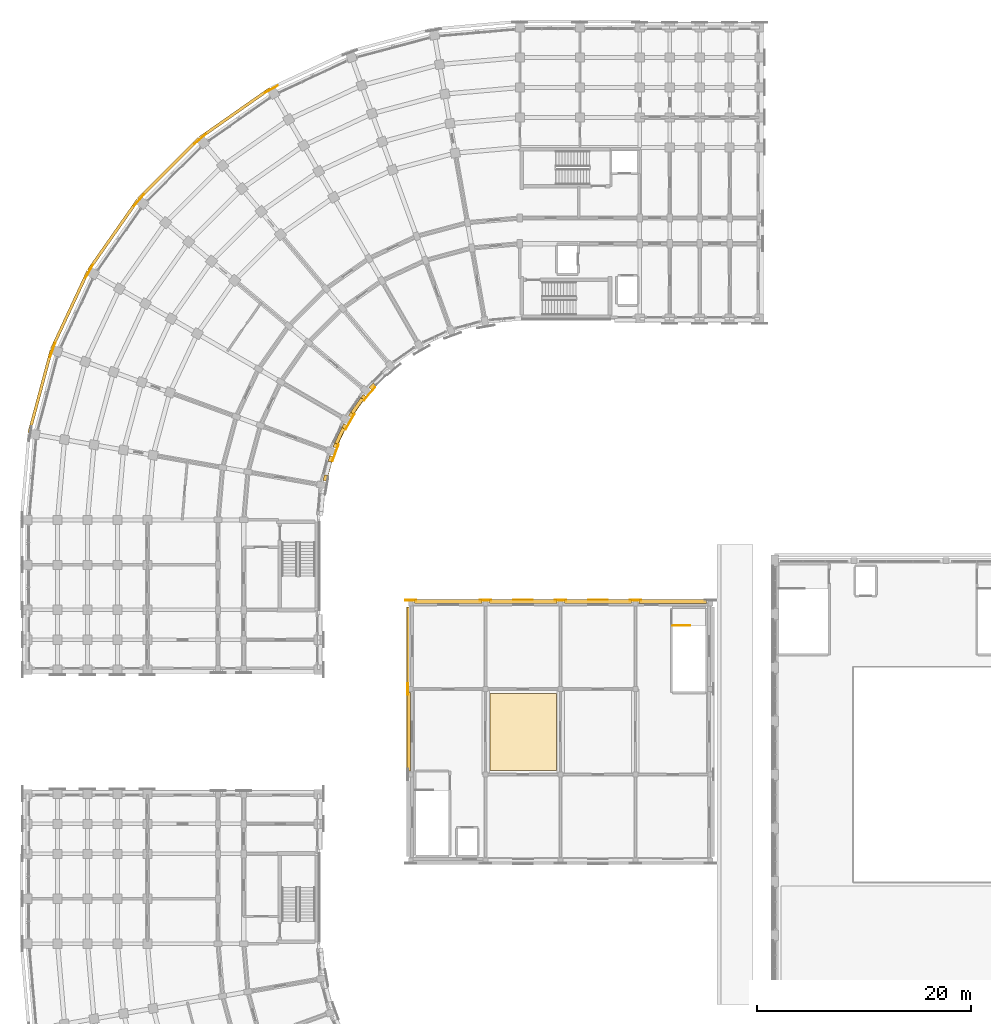
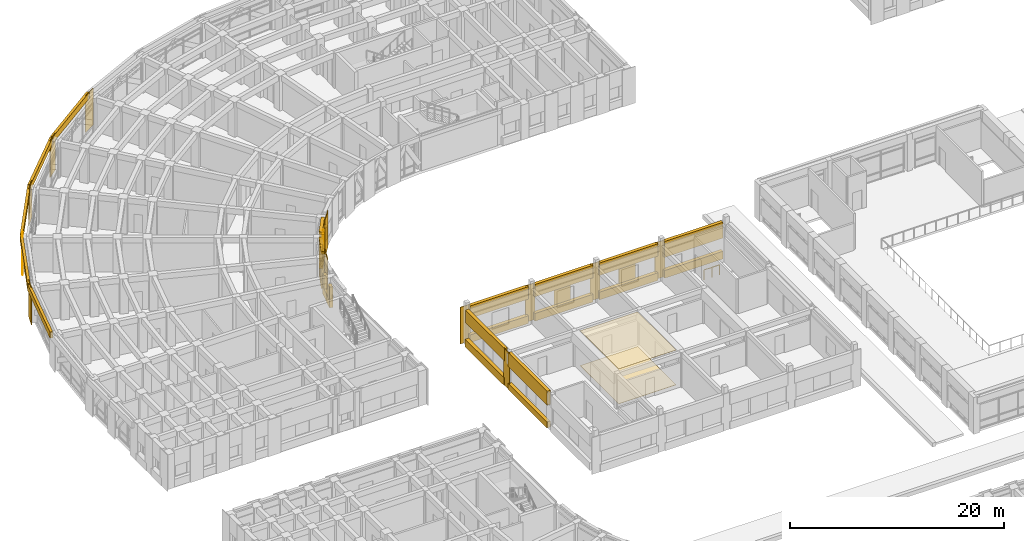
# One storey, part 90 of 97: 44 coverings, 2 shading devices, 1 railing.
"""IFC4 building model written with IfcOpenShell, lengths in metres."""

from ifc_helpers import new_model, si_unit, direction, frame, origin, origin_2d, place, context, subcontext, project, spatial, polyline, rectangle, circle, outline, extrude, material, layer, layer_set, type_object, element, save


model = new_model("IFC4")

# Units and contexts
model_context = context("Model", 3, precision=1e-05, world=origin(), true_north=direction((0.0, 1.0)))
body_context = subcontext(model_context, "Body", "Model", "MODEL_VIEW")
ifc_project = project(units=[si_unit("LENGTHUNIT", "METRE"), si_unit("AREAUNIT", "SQUARE_METRE"), si_unit("VOLUMEUNIT", "CUBIC_METRE"), si_unit("PLANEANGLEUNIT", "RADIAN"), si_unit("MASSUNIT", "GRAM", prefix="KILO")], contexts=[model_context])

# Site, building, storey
site_placement = place(None, origin())
site = spatial("IfcSite", under=ifc_project, at=site_placement, CompositionType="ELEMENT")
building_placement = place(site_placement, origin())
building = spatial("IfcBuilding", under=site, at=building_placement, Name="Kiranvali Square Residences", CompositionType="ELEMENT")
storey_placement = place(building_placement, frame((0.0, 0.0, 4.5)))
storey = spatial("IfcBuildingStorey", under=building, at=storey_placement, Name="L01", CompositionType="ELEMENT", Elevation=4.5)

# Coverings
ifc_material_1 = material(Name="Perforated acoustic mineral-fibre and gypsum board ceiling", Category="gypsum")
ifc_layer_1 = layer(ifc_material_1, 0.030029296875)
ifc_layer_set_1 = layer_set([ifc_layer_1], Name="Perforated acoustic mineral-fibre and gypsum board ceiling")
covering_type_1 = type_object("IfcCoveringType", Name="COV-CEIL-ACOUSTIC", PredefinedType="CEILING", material=ifc_layer_set_1)
covering_1_placement = place(storey_placement, frame((0.0, 0.0, 3.969970703125)))
element("IfcCovering", 1, at=covering_1_placement, inside=storey, type_object=covering_type_1, Name="Nursery Upper Playroom acoustic ceiling", PredefinedType="CEILING", context=body_context, shape_type="SweptSolid", body=[
    extrude(outline(polyline([(45.39990234375, 64.39990234375), (51.60009765625, 64.39990234375), (51.60009765625, 71.60009765625), (45.39990234375, 71.60009765625), (45.39990234375, 64.39990234375)])), origin(), (0.0, 0.0, 1.0), 0.030029296875),
])
ifc_material_2 = material(Name="Carved Porbandar limestone classical entablature and cornice", Category="masonry")
ifc_layer_2 = layer(ifc_material_2, 0.449951171875)
ifc_layer_set_2 = layer_set([ifc_layer_2], Name="Carved Porbandar limestone classical entablature and cornice")
covering_type_2 = type_object("IfcCoveringType", Name="COV-CLAD-CORN", PredefinedType="CLADDING", material=ifc_layer_set_2)
covering_2_placement = place(storey_placement, frame((0.0, 0.0, 3.47998046875)))
element("IfcCovering", 2, at=covering_2_placement, inside=storey, type_object=covering_type_2, Name="Block A L01 Classical Ottoman arcade entablature 4", PredefinedType="CLADDING", context=body_context, shape_type="SweptSolid", body=[
    extrude(outline(polyline([(24.795654296875, 128.214599609375), (18.227294921875, 123.615478515625), (18.386962890625, 123.387939453125), (24.955078125, 127.987060546875), (24.795654296875, 128.214599609375)])), origin(), (0.0, 0.0, 1.0), 0.715087890625),
])
covering_3_placement = place(storey_placement, frame((0.0, 0.0, 3.47998046875)))
element("IfcCovering", 3, at=covering_3_placement, inside=storey, type_object=covering_type_2, Name="Block A L01 Classical Ottoman arcade entablature 5", PredefinedType="CLADDING", context=body_context, shape_type="SweptSolid", body=[
    extrude(outline(polyline([(18.13330078125, 123.53662109375), (12.46337890625, 117.86669921875), (12.659912109375, 117.670166015625), (18.329833984375, 123.340087890625), (18.13330078125, 123.53662109375)])), origin(), (0.0, 0.0, 1.0), 0.715087890625),
])
covering_4_placement = place(storey_placement, frame((0.0, 0.0, 3.47998046875)))
element("IfcCovering", 4, at=covering_4_placement, inside=storey, type_object=covering_type_2, Name="Block A L01 Classical Ottoman arcade entablature 6", PredefinedType="CLADDING", context=body_context, shape_type="SweptSolid", body=[
    extrude(outline(polyline([(12.384521484375, 117.772705078125), (7.785400390625, 111.204345703125), (8.012939453125, 111.044921875), (12.612060546875, 117.613037109375), (12.384521484375, 117.772705078125)])), origin(), (0.0, 0.0, 1.0), 0.715087890625),
])
covering_5_placement = place(storey_placement, frame((0.0, 0.0, 3.47998046875)))
element("IfcCovering", 5, at=covering_5_placement, inside=storey, type_object=covering_type_2, Name="Block A L01 Classical Ottoman arcade entablature 7", PredefinedType="CLADDING", context=body_context, shape_type="SweptSolid", body=[
    extrude(outline(polyline([(7.723876953125, 111.097900390625), (4.335205078125, 103.830810546875), (4.587158203125, 103.71337890625), (7.975830078125, 110.98046875), (7.723876953125, 111.097900390625)])), origin(), (0.0, 0.0, 1.0), 0.715087890625),
])
covering_6_placement = place(storey_placement, frame((0.0, 0.0, 3.47998046875)))
element("IfcCovering", 6, at=covering_6_placement, inside=storey, type_object=covering_type_2, Name="Block A L01 Classical Ottoman arcade entablature 8", PredefinedType="CLADDING", context=body_context, shape_type="SweptSolid", body=[
    extrude(outline(polyline([(4.293212890625, 103.71533203125), (2.2177734375, 95.97021484375), (2.486328125, 95.8984375), (4.561767578125, 103.6435546875), (4.293212890625, 103.71533203125)])), origin(), (0.0, 0.0, 1.0), 0.715087890625),
])
ifc_material_3 = material(Name="Honed Porbandar limestone ashlar facade cladding", Category="masonry")
ifc_layer_3 = layer(ifc_material_3, 0.3798828125)
ifc_layer_set_3 = layer_set([ifc_layer_3], Name="Honed Porbandar limestone ashlar facade cladding")
covering_type_3 = type_object("IfcCoveringType", Name="COV-CLAD-JAMB", PredefinedType="CLADDING", material=ifc_layer_set_3)
covering_7_placement = place(storey_placement, frame((0.0, 0.0, 0.8798828125)))
element("IfcCovering", 7, at=covering_7_placement, inside=storey, type_object=covering_type_3, Name="L01 deep limestone window jamb reveal A-L01-GDN-04.R", PredefinedType="CLADDING", context=body_context, shape_type="SweptSolid", body=[
    extrude(outline(polyline([(34.497802734375, 100.5830078125), (34.10986328125, 100.195068359375), (34.349853515625, 99.955078125), (34.73779296875, 100.343017578125), (34.497802734375, 100.5830078125)])), origin(), (0.0, 0.0, 1.0), 1.5),
])
covering_8_placement = place(storey_placement, frame((0.0, 0.0, 0.8798828125)))
element("IfcCovering", 8, at=covering_8_placement, inside=storey, type_object=covering_type_3, Name="L01 deep limestone window jamb reveal A-L01-GDN-05.L", PredefinedType="CLADDING", context=body_context, shape_type="SweptSolid", body=[
    extrude(outline(polyline([(33.54638671875, 99.523681640625), (33.33203125, 99.2177734375), (33.6103515625, 99.02294921875), (33.824462890625, 99.328857421875), (33.54638671875, 99.523681640625)])), origin(), (0.0, 0.0, 1.0), 1.60009765625),
])
covering_9_placement = place(storey_placement, frame((0.0, 0.0, 0.8798828125)))
element("IfcCovering", 9, at=covering_9_placement, inside=storey, type_object=covering_type_3, Name="L01 deep limestone window jamb reveal A-L01-GDN-05.R", PredefinedType="CLADDING", context=body_context, shape_type="SweptSolid", body=[
    extrude(outline(polyline([(32.3857421875, 97.8662109375), (32.171630859375, 97.56005859375), (32.44970703125, 97.365478515625), (32.663818359375, 97.67138671875), (32.3857421875, 97.8662109375)])), origin(), (0.0, 0.0, 1.0), 1.60009765625),
])
covering_10_placement = place(storey_placement, frame((0.0, 0.0, 0.8798828125)))
element("IfcCovering", 10, at=covering_10_placement, inside=storey, type_object=covering_type_3, Name="L01 deep limestone window jamb reveal A-L01-GDN-06.L", PredefinedType="CLADDING", context=body_context, shape_type="SweptSolid", body=[
    extrude(outline(polyline([(31.733154296875, 96.801025390625), (31.564697265625, 96.43994140625), (31.87255859375, 96.29638671875), (32.041015625, 96.657470703125), (31.733154296875, 96.801025390625)])), origin(), (0.0, 0.0, 1.0), 1.650146484375),
])
covering_11_placement = place(storey_placement, frame((0.0, 0.0, 0.8798828125)))
element("IfcCovering", 11, at=covering_11_placement, inside=storey, type_object=covering_type_3, Name="L01 deep limestone window jamb reveal A-L01-GDN-06.R", PredefinedType="CLADDING", context=body_context, shape_type="SweptSolid", body=[
    extrude(outline(polyline([(30.888671875, 94.98974609375), (30.72021484375, 94.62841796875), (31.02783203125, 94.485107421875), (31.1962890625, 94.84619140625), (30.888671875, 94.98974609375)])), origin(), (0.0, 0.0, 1.0), 1.650146484375),
])
covering_12_placement = place(storey_placement, frame((0.0, 0.0, 0.8798828125)))
element("IfcCovering", 12, at=covering_12_placement, inside=storey, type_object=covering_type_3, Name="L01 deep limestone window jamb reveal A-L01-GDN-07.L", PredefinedType="CLADDING", context=body_context, shape_type="SweptSolid", body=[
    extrude(outline(polyline([(30.42041015625, 93.804931640625), (30.2783203125, 93.27490234375), (30.6064453125, 93.187255859375), (30.748291015625, 93.717041015625), (30.42041015625, 93.804931640625)])), origin(), (0.0, 0.0, 1.0), 1.5),
])
covering_13_placement = place(storey_placement, frame((0.0, 0.0, 0.8798828125)))
element("IfcCovering", 13, at=covering_13_placement, inside=storey, type_object=covering_type_3, Name="L01 deep limestone window jamb reveal A-L01-GDN-07.R", PredefinedType="CLADDING", context=body_context, shape_type="SweptSolid", body=[
    extrude(outline(polyline([(29.94189453125, 92.019287109375), (29.800048828125, 91.489501953125), (30.1279296875, 91.401611328125), (30.269775390625, 91.931396484375), (29.94189453125, 92.019287109375)])), origin(), (0.0, 0.0, 1.0), 1.5),
])
ifc_layer_4 = layer(ifc_material_3, 0.06494140625)
ifc_layer_set_4 = layer_set([ifc_layer_4], Name="Honed Porbandar limestone ashlar facade cladding")
covering_type_4 = type_object("IfcCoveringType", Name="COV-CLAD-PIER", PredefinedType="CLADDING", material=ifc_layer_set_4)
covering_14_placement = place(storey_placement, frame((0.0, 0.0, 0.0048828125)))
element("IfcCovering", 14, at=covering_14_placement, inside=storey, type_object=covering_type_4, Name="L01 Classical limestone pilaster casing CLAD-NR-L01-N0", PredefinedType="CLADDING", context=body_context, shape_type="SweptSolid", body=[
    extrude(outline(polyline([(37.469970703125, 80.25048828125), (38.530029296875, 80.25048828125), (38.530029296875, 80.318115234375), (37.469970703125, 80.318115234375), (37.469970703125, 80.25048828125)])), origin(), (0.0, 0.0, 1.0), 4.190185546875),
])
covering_15_placement = place(storey_placement, frame((0.0, 0.0, 0.0048828125)))
element("IfcCovering", 15, at=covering_15_placement, inside=storey, type_object=covering_type_4, Name="L01 Classical limestone pilaster casing CLAD-NR-L01-N1", PredefinedType="CLADDING", context=body_context, shape_type="SweptSolid", body=[
    extrude(outline(polyline([(44.469970703125, 80.25048828125), (45.530029296875, 80.25048828125), (45.530029296875, 80.318115234375), (44.469970703125, 80.318115234375), (44.469970703125, 80.25048828125)])), origin(), (0.0, 0.0, 1.0), 4.190185546875),
])
covering_16_placement = place(storey_placement, frame((0.0, 0.0, 0.0048828125)))
element("IfcCovering", 16, at=covering_16_placement, inside=storey, type_object=covering_type_4, Name="L01 Classical limestone pilaster casing CLAD-NR-L01-N2", PredefinedType="CLADDING", context=body_context, shape_type="SweptSolid", body=[
    extrude(outline(polyline([(51.469970703125, 80.25048828125), (52.530029296875, 80.25048828125), (52.530029296875, 80.318115234375), (51.469970703125, 80.318115234375), (51.469970703125, 80.25048828125)])), origin(), (0.0, 0.0, 1.0), 4.190185546875),
])
covering_17_placement = place(storey_placement, frame((0.0, 0.0, 0.0048828125)))
element("IfcCovering", 17, at=covering_17_placement, inside=storey, type_object=covering_type_4, Name="L01 Classical limestone pilaster casing CLAD-NR-L01-N3", PredefinedType="CLADDING", context=body_context, shape_type="SweptSolid", body=[
    extrude(outline(polyline([(58.469970703125, 80.25048828125), (59.530029296875, 80.25048828125), (59.530029296875, 80.318115234375), (58.469970703125, 80.318115234375), (58.469970703125, 80.25048828125)])), origin(), (0.0, 0.0, 1.0), 4.190185546875),
])
covering_18_placement = place(storey_placement, frame((0.0, 0.0, 0.0048828125)))
element("IfcCovering", 18, at=covering_18_placement, inside=storey, type_object=covering_type_4, Name="L01 Classical limestone pilaster casing CLAD-NR-L01-W2", PredefinedType="CLADDING", context=body_context, shape_type="SweptSolid", body=[
    extrude(outline(polyline([(37.74951171875, 71.469970703125), (37.74951171875, 72.530029296875), (37.681884765625, 72.530029296875), (37.681884765625, 71.469970703125), (37.74951171875, 71.469970703125)])), origin(), (0.0, 0.0, 1.0), 4.190185546875),
])
ifc_layer_5 = layer(ifc_material_3, 0.050048828125)
ifc_layer_set_5 = layer_set([ifc_layer_5], Name="Honed Porbandar limestone ashlar facade cladding")
covering_type_5 = type_object("IfcCoveringType", Name="COV-CLAD-PIER-IN", PredefinedType="CLADDING", material=ifc_layer_set_5)
covering_19_placement = place(storey_placement, frame((0.0, 0.0, 0.0048828125)))
element("IfcCovering", 19, at=covering_19_placement, inside=storey, type_object=covering_type_5, Name="L01 Classical garden courtyard pilaster CLAD-PRIN-A-L01-A05", PredefinedType="CLADDING", context=body_context, shape_type="SweptSolid", body=[
    extrude(outline(polyline([(33.645751953125, 98.935546875), (34.706298828125, 100.199462890625), (34.654541015625, 100.242919921875), (33.593994140625, 98.97900390625), (33.645751953125, 98.935546875)])), origin(), (0.0, 0.0, 1.0), 4.190185546875),
])
covering_20_placement = place(storey_placement, frame((0.0, 0.0, 0.0048828125)))
element("IfcCovering", 20, at=covering_20_placement, inside=storey, type_object=covering_type_5, Name="L01 Classical garden courtyard pilaster CLAD-PRIN-A-L01-A06", PredefinedType="CLADDING", context=body_context, shape_type="SweptSolid", body=[
    extrude(outline(polyline([(31.93310546875, 96.239013671875), (32.758056640625, 97.66796875), (32.69970703125, 97.70166015625), (31.874755859375, 96.272705078125), (31.93310546875, 96.239013671875)])), origin(), (0.0, 0.0, 1.0), 4.190185546875),
])
covering_21_placement = place(storey_placement, frame((0.0, 0.0, 0.0048828125)))
element("IfcCovering", 21, at=covering_21_placement, inside=storey, type_object=covering_type_5, Name="L01 Classical garden courtyard pilaster CLAD-PRIN-A-L01-A07", PredefinedType="CLADDING", context=body_context, shape_type="SweptSolid", body=[
    extrude(outline(polyline([(30.71484375, 93.2861328125), (31.279296875, 94.836669921875), (31.2158203125, 94.859619140625), (30.6513671875, 93.30908203125), (30.71484375, 93.2861328125)])), origin(), (0.0, 0.0, 1.0), 4.190185546875),
])
ifc_material_4 = material(Name="Alternating Deccan basalt and Porbandar limestone rusticated plinth ashlar", Category="masonry")
ifc_layer_6 = layer(ifc_material_4, 0.0849609375)
ifc_layer_set_6 = layer_set([ifc_layer_6], Name="Alternating Deccan basalt and Porbandar limestone rusticated plinth ashlar")
covering_type_6 = type_object("IfcCoveringType", Name="COV-CLAD-PLINTH", PredefinedType="CLADDING", material=ifc_layer_set_6)
covering_22_placement = place(storey_placement, frame((0.0, 0.0, 0.0048828125)))
element("IfcCovering", 22, at=covering_22_placement, inside=storey, type_object=covering_type_6, Name="L01 rusticated Ottoman arcade pier CLAD-PR-A-L01-A03", PredefinedType="CLADDING", context=body_context, shape_type="SweptSolid", body=[
    extrude(outline(polyline([(25.56396484375, 128.41650390625), (24.343017578125, 127.711669921875), (24.376708984375, 127.653076171875), (25.597900390625, 128.358154296875), (25.56396484375, 128.41650390625)])), origin(), (0.0, 0.0, 1.0), 4.190185546875),
])
covering_23_placement = place(storey_placement, frame((0.0, 0.0, 0.0048828125)))
element("IfcCovering", 23, at=covering_23_placement, inside=storey, type_object=covering_type_6, Name="L01 rusticated Ottoman arcade pier CLAD-PR-A-L01-A04", PredefinedType="CLADDING", context=body_context, shape_type="SweptSolid", body=[
    extrude(outline(polyline([(18.85498046875, 123.868896484375), (17.77490234375, 122.962646484375), (17.818115234375, 122.910888671875), (18.8984375, 123.817138671875), (18.85498046875, 123.868896484375)])), origin(), (0.0, 0.0, 1.0), 4.190185546875),
])
covering_24_placement = place(storey_placement, frame((0.0, 0.0, 0.0048828125)))
element("IfcCovering", 24, at=covering_24_placement, inside=storey, type_object=covering_type_6, Name="L01 rusticated Ottoman arcade pier CLAD-PR-A-L01-A05", PredefinedType="CLADDING", context=body_context, shape_type="SweptSolid", body=[
    extrude(outline(polyline([(13.037353515625, 118.22509765625), (12.131103515625, 117.14501953125), (12.182861328125, 117.1015625), (13.089111328125, 118.181884765625), (13.037353515625, 118.22509765625)])), origin(), (0.0, 0.0, 1.0), 4.190185546875),
])
covering_25_placement = place(storey_placement, frame((0.0, 0.0, 0.0048828125)))
element("IfcCovering", 25, at=covering_25_placement, inside=storey, type_object=covering_type_6, Name="L01 rusticated Ottoman arcade pier CLAD-PR-A-L01-A06", PredefinedType="CLADDING", context=body_context, shape_type="SweptSolid", body=[
    extrude(outline(polyline([(8.288330078125, 111.656982421875), (7.58349609375, 110.43603515625), (7.641845703125, 110.402099609375), (8.346923828125, 111.623291015625), (8.288330078125, 111.656982421875)])), origin(), (0.0, 0.0, 1.0), 4.190185546875),
])
covering_26_placement = place(storey_placement, frame((0.0, 0.0, 0.0048828125)))
element("IfcCovering", 26, at=covering_26_placement, inside=storey, type_object=covering_type_6, Name="L01 rusticated Ottoman arcade pier CLAD-PR-A-L01-A07", PredefinedType="CLADDING", context=body_context, shape_type="SweptSolid", body=[
    extrude(outline(polyline([(4.751953125, 104.364013671875), (4.269775390625, 103.0390625), (4.333251953125, 103.015869140625), (4.8154296875, 104.3408203125), (4.751953125, 104.364013671875)])), origin(), (0.0, 0.0, 1.0), 4.190185546875),
])
ifc_layer_7 = layer(ifc_material_3, 0.360107421875)
ifc_layer_set_7 = layer_set([ifc_layer_7], Name="Honed Porbandar limestone ashlar facade cladding")
covering_type_7 = type_object("IfcCoveringType", Name="COV-CLAD-WALL", PredefinedType="CLADDING", material=ifc_layer_set_7)
covering_27_placement = place(storey_placement, frame((0.0, 0.0, 2.47998046875)))
element("IfcCovering", 27, at=covering_27_placement, inside=storey, type_object=covering_type_7, Name="L01 light limestone spandrel lintel A-L01-GDN-05", PredefinedType="CLADDING", context=body_context, shape_type="SweptSolid", body=[
    extrude(outline(polyline([(33.54638671875, 99.523681640625), (32.171630859375, 97.56005859375), (32.44970703125, 97.365478515625), (33.824462890625, 99.328857421875), (33.54638671875, 99.523681640625)])), origin(), (0.0, 0.0, 1.0), 1.715087890625),
])
covering_28_placement = place(storey_placement, frame((0.0, 0.0, 2.530029296875)))
element("IfcCovering", 28, at=covering_28_placement, inside=storey, type_object=covering_type_7, Name="L01 light limestone spandrel lintel A-L01-GDN-06", PredefinedType="CLADDING", context=body_context, shape_type="SweptSolid", body=[
    extrude(outline(polyline([(31.733154296875, 96.801025390625), (30.72021484375, 94.62841796875), (31.02783203125, 94.485107421875), (32.041015625, 96.657470703125), (31.733154296875, 96.801025390625)])), origin(), (0.0, 0.0, 1.0), 1.6650390625),
])
covering_29_placement = place(storey_placement, frame((0.0, 0.0, 2.780029296875)))
element("IfcCovering", 29, at=covering_29_placement, inside=storey, type_object=covering_type_7, Name="L01 light limestone spandrel lintel NR-L01-N-0", PredefinedType="CLADDING", context=body_context, shape_type="SweptSolid", body=[
    extrude(outline(polyline([(38.35009765625, 80.00048828125), (44.64990234375, 80.00048828125), (44.64990234375, 80.35009765625), (38.35009765625, 80.35009765625), (38.35009765625, 80.00048828125)])), origin(), (0.0, 0.0, 1.0), 1.4150390625),
])
covering_30_placement = place(storey_placement, frame((0.0, 0.0, 0.0048828125)))
element("IfcCovering", 30, at=covering_30_placement, inside=storey, type_object=covering_type_7, Name="L01 limestone window sill apron NR-L01-N-0", PredefinedType="CLADDING", context=body_context, shape_type="SweptSolid", body=[
    extrude(outline(polyline([(38.35009765625, 80.00048828125), (44.64990234375, 80.00048828125), (44.64990234375, 80.3798828125), (38.35009765625, 80.3798828125), (38.35009765625, 80.00048828125)])), origin(), (0.0, 0.0, 1.0), 0.875),
])
covering_31_placement = place(storey_placement, frame((0.0, 0.0, 2.780029296875)))
element("IfcCovering", 31, at=covering_31_placement, inside=storey, type_object=covering_type_7, Name="L01 light limestone spandrel lintel NR-L01-N-1", PredefinedType="CLADDING", context=body_context, shape_type="SweptSolid", body=[
    extrude(outline(polyline([(45.35009765625, 80.00048828125), (51.64990234375, 80.00048828125), (51.64990234375, 80.35009765625), (45.35009765625, 80.35009765625), (45.35009765625, 80.00048828125)])), origin(), (0.0, 0.0, 1.0), 1.4150390625),
])
covering_32_placement = place(storey_placement, frame((0.0, 0.0, 0.0048828125)))
element("IfcCovering", 32, at=covering_32_placement, inside=storey, type_object=covering_type_7, Name="L01 limestone window sill apron NR-L01-N-1", PredefinedType="CLADDING", context=body_context, shape_type="SweptSolid", body=[
    extrude(outline(polyline([(45.35009765625, 80.00048828125), (51.64990234375, 80.00048828125), (51.64990234375, 80.3798828125), (45.35009765625, 80.3798828125), (45.35009765625, 80.00048828125)])), origin(), (0.0, 0.0, 1.0), 0.875),
])
covering_33_placement = place(storey_placement, frame((0.0, 0.0, 2.780029296875)))
element("IfcCovering", 33, at=covering_33_placement, inside=storey, type_object=covering_type_7, Name="L01 light limestone spandrel lintel NR-L01-N-2", PredefinedType="CLADDING", context=body_context, shape_type="SweptSolid", body=[
    extrude(outline(polyline([(52.35009765625, 80.00048828125), (58.64990234375, 80.00048828125), (58.64990234375, 80.35009765625), (52.35009765625, 80.35009765625), (52.35009765625, 80.00048828125)])), origin(), (0.0, 0.0, 1.0), 1.4150390625),
])
covering_34_placement = place(storey_placement, frame((0.0, 0.0, 0.0048828125)))
element("IfcCovering", 34, at=covering_34_placement, inside=storey, type_object=covering_type_7, Name="L01 limestone window sill apron NR-L01-N-2", PredefinedType="CLADDING", context=body_context, shape_type="SweptSolid", body=[
    extrude(outline(polyline([(52.35009765625, 80.00048828125), (58.64990234375, 80.00048828125), (58.64990234375, 80.3798828125), (52.35009765625, 80.3798828125), (52.35009765625, 80.00048828125)])), origin(), (0.0, 0.0, 1.0), 0.875),
])
covering_35_placement = place(storey_placement, frame((0.0, 0.0, 2.3798828125)))
element("IfcCovering", 35, at=covering_35_placement, inside=storey, type_object=covering_type_7, Name="L01 light limestone spandrel lintel NR-L01-N-3", PredefinedType="CLADDING", context=body_context, shape_type="SweptSolid", body=[
    extrude(outline(polyline([(59.35009765625, 80.00048828125), (65.64990234375, 80.00048828125), (65.64990234375, 80.35009765625), (59.35009765625, 80.35009765625), (59.35009765625, 80.00048828125)])), origin(), (0.0, 0.0, 1.0), 1.815185546875),
])
covering_36_placement = place(storey_placement, frame((0.0, 0.0, 0.0048828125)))
element("IfcCovering", 36, at=covering_36_placement, inside=storey, type_object=covering_type_7, Name="L01 limestone window sill apron NR-L01-N-3", PredefinedType="CLADDING", context=body_context, shape_type="SweptSolid", body=[
    extrude(outline(polyline([(59.35009765625, 80.00048828125), (65.64990234375, 80.00048828125), (65.64990234375, 80.3798828125), (59.35009765625, 80.3798828125), (59.35009765625, 80.00048828125)])), origin(), (0.0, 0.0, 1.0), 0.875),
])
covering_37_placement = place(storey_placement, frame((0.0, 0.0, 2.592041015625)))
element("IfcCovering", 37, at=covering_37_placement, inside=storey, type_object=covering_type_7, Name="L01 light limestone spandrel lintel NR-L01-W-1", PredefinedType="CLADDING", context=body_context, shape_type="SweptSolid", body=[
    extrude(outline(polyline([(37.99951171875, 64.35009765625), (37.99951171875, 71.64990234375), (37.64990234375, 71.64990234375), (37.64990234375, 64.35009765625), (37.99951171875, 64.35009765625)])), origin(), (0.0, 0.0, 1.0), 1.60302734375),
])
covering_38_placement = place(storey_placement, frame((0.0, 0.0, 0.0048828125)))
element("IfcCovering", 38, at=covering_38_placement, inside=storey, type_object=covering_type_7, Name="L01 limestone window sill apron NR-L01-W-1", PredefinedType="CLADDING", context=body_context, shape_type="SweptSolid", body=[
    extrude(outline(polyline([(37.99951171875, 64.35009765625), (37.99951171875, 71.64990234375), (37.6201171875, 71.64990234375), (37.6201171875, 64.35009765625), (37.99951171875, 64.35009765625)])), origin(), (0.0, 0.0, 1.0), 0.68701171875),
])
covering_39_placement = place(storey_placement, frame((0.0, 0.0, 2.780029296875)))
element("IfcCovering", 39, at=covering_39_placement, inside=storey, type_object=covering_type_7, Name="L01 light limestone spandrel lintel NR-L01-W-2", PredefinedType="CLADDING", context=body_context, shape_type="SweptSolid", body=[
    extrude(outline(polyline([(37.99951171875, 72.35009765625), (37.99951171875, 79.64990234375), (37.64990234375, 79.64990234375), (37.64990234375, 72.35009765625), (37.99951171875, 72.35009765625)])), origin(), (0.0, 0.0, 1.0), 1.4150390625),
])
covering_40_placement = place(storey_placement, frame((0.0, 0.0, 0.0048828125)))
element("IfcCovering", 40, at=covering_40_placement, inside=storey, type_object=covering_type_7, Name="L01 limestone window sill apron NR-L01-W-2", PredefinedType="CLADDING", context=body_context, shape_type="SweptSolid", body=[
    extrude(outline(polyline([(37.99951171875, 72.35009765625), (37.99951171875, 79.64990234375), (37.6201171875, 79.64990234375), (37.6201171875, 72.35009765625), (37.99951171875, 72.35009765625)])), origin(), (0.0, 0.0, 1.0), 0.875),
])
ifc_layer_8 = layer(ifc_material_3, 0.2900390625)
ifc_layer_set_8 = layer_set([ifc_layer_8], Name="Honed Porbandar limestone ashlar facade cladding")
covering_type_8 = type_object("IfcCoveringType", Name="COV-CLAD-WALL-IN", PredefinedType="CLADDING", material=ifc_layer_set_8)
covering_41_placement = place(storey_placement, frame((0.0, 0.0, 0.0048828125)))
element("IfcCovering", 41, at=covering_41_placement, inside=storey, type_object=covering_type_8, Name="L01 limestone window sill apron A-L01-GDN-05", PredefinedType="CLADDING", context=body_context, shape_type="SweptSolid", body=[
    extrude(outline(polyline([(33.54638671875, 99.523681640625), (32.171630859375, 97.56005859375), (32.47412109375, 97.34814453125), (33.84912109375, 99.311767578125), (33.54638671875, 99.523681640625)])), origin(), (0.0, 0.0, 1.0), 0.875),
])
covering_42_placement = place(storey_placement, frame((0.0, 0.0, 0.0048828125)))
element("IfcCovering", 42, at=covering_42_placement, inside=storey, type_object=covering_type_8, Name="L01 limestone window sill apron A-L01-GDN-06", PredefinedType="CLADDING", context=body_context, shape_type="SweptSolid", body=[
    extrude(outline(polyline([(31.733154296875, 96.801025390625), (30.72021484375, 94.62841796875), (31.05517578125, 94.472412109375), (32.068115234375, 96.644775390625), (31.733154296875, 96.801025390625)])), origin(), (0.0, 0.0, 1.0), 0.875),
])
covering_43_placement = place(storey_placement, frame((0.0, 0.0, 0.0048828125)))
element("IfcCovering", 43, at=covering_43_placement, inside=storey, type_object=covering_type_8, Name="L01 limestone window sill apron A-L01-GDN-07", PredefinedType="CLADDING", context=body_context, shape_type="SweptSolid", body=[
    extrude(outline(polyline([(30.42041015625, 93.804931640625), (29.800048828125, 91.489501953125), (30.156982421875, 91.393798828125), (30.77734375, 93.709228515625), (30.42041015625, 93.804931640625)])), origin(), (0.0, 0.0, 1.0), 0.875),
])
ifc_material_5 = material(Name="Polished terrazzo and anti-slip vitrified floor finish", Category="stone")
ifc_layer_9 = layer(ifc_material_5, 0.02490234375)
ifc_layer_set_9 = layer_set([ifc_layer_9], Name="Polished terrazzo and anti-slip vitrified floor finish")
covering_type_9 = type_object("IfcCoveringType", Name="COV-FLR-STONE25", PredefinedType="FLOORING", material=ifc_layer_set_9)
covering_44_placement = place(storey_placement, origin())
element("IfcCovering", 44, at=covering_44_placement, inside=storey, type_object=covering_type_9, Name="Nursery Upper Playroom terrazzo flooring", PredefinedType="FLOORING", context=body_context, shape_type="SweptSolid", body=[
    extrude(outline(polyline([(45.39990234375, 64.39990234375), (51.60009765625, 64.39990234375), (51.60009765625, 71.60009765625), (45.39990234375, 71.60009765625), (45.39990234375, 64.39990234375)])), origin(), (0.0, 0.0, 1.0), 0.030029296875),
])

# Railing
ifc_material_6 = material(Name="Powder-coated architectural bronze balustrade", Category="steel")
railing_type = type_object("IfcRailingType", Name="RL-ST-GUARD-1200", PredefinedType="GUARDRAIL", material=ifc_material_6)
railing_placement = place(storey_placement, frame((62.449951171875, 77.949951171875, 0.0)))
element("IfcRailing", 45, at=railing_placement, inside=storey, type_object=railing_type, Name="L01 ST-NR2 top well guard 1", PredefinedType="GUARDRAIL", context=body_context, shape_type="SweptSolid", body=[
    extrude(circle(Radius=0.02392578125, at=origin_2d()), frame((0.0, 0.0, 1.1259765625), z_axis=(1.0, 0.0, 0.0), x_axis=(0.0, 1.0, 0.0)), (0.0, 0.0, 1.0), 1.650146484375),
    extrude(circle(Radius=0.02099609375, at=origin_2d()), origin(), (0.0, 0.0, 1.0), 1.101806640625),
    extrude(circle(Radius=0.02099609375, at=origin_2d()), frame((0.8251953125, 0.0, 0.0)), (0.0, 0.0, 1.0), 1.101806640625),
    extrude(circle(Radius=0.02099609375, at=origin_2d()), frame((1.650146484375, 0.0, 0.0)), (0.0, 0.0, 1.0), 1.101806640625),
])

# Shading devices
ifc_material_7 = material(Name="Pierced buff sandstone architectural mashrabiya solar screen", Category="masonry")
shading_device_type = type_object("IfcShadingDeviceType", Name="SHD-JALI-1800", PredefinedType="JALOUSIE", material=ifc_material_7)
for number, where, z_axis, x_axis, name in (
    (46, (48.5, 80.330078125, 0.880126953125), (0.0, 0.0, 1.0), (1.0, 0.0, 0.0), "L01 carved stone Mashrabiya screen NR-L01-N-1"),
    (47, (55.5, 80.330078125, 0.880126953125), (0.0, 0.0, 1.0), (1.0, 0.0, 0.0), "L01 carved stone Mashrabiya screen NR-L01-N-2"),
):
    element("IfcShadingDevice", number, at=place(storey_placement, frame(where, z_axis=z_axis, x_axis=x_axis)), inside=storey, type_object=shading_device_type, Name=name, PredefinedType="JALOUSIE", context=body_context, shape_type="SweptSolid", body=[
        extrude(rectangle(XDim=1.800048828125, YDim=0.044921875, at=origin_2d()), origin(), (0.0, 0.0, 1.0), 1.89990234375),
    ])

save(model, "model.ifc")
